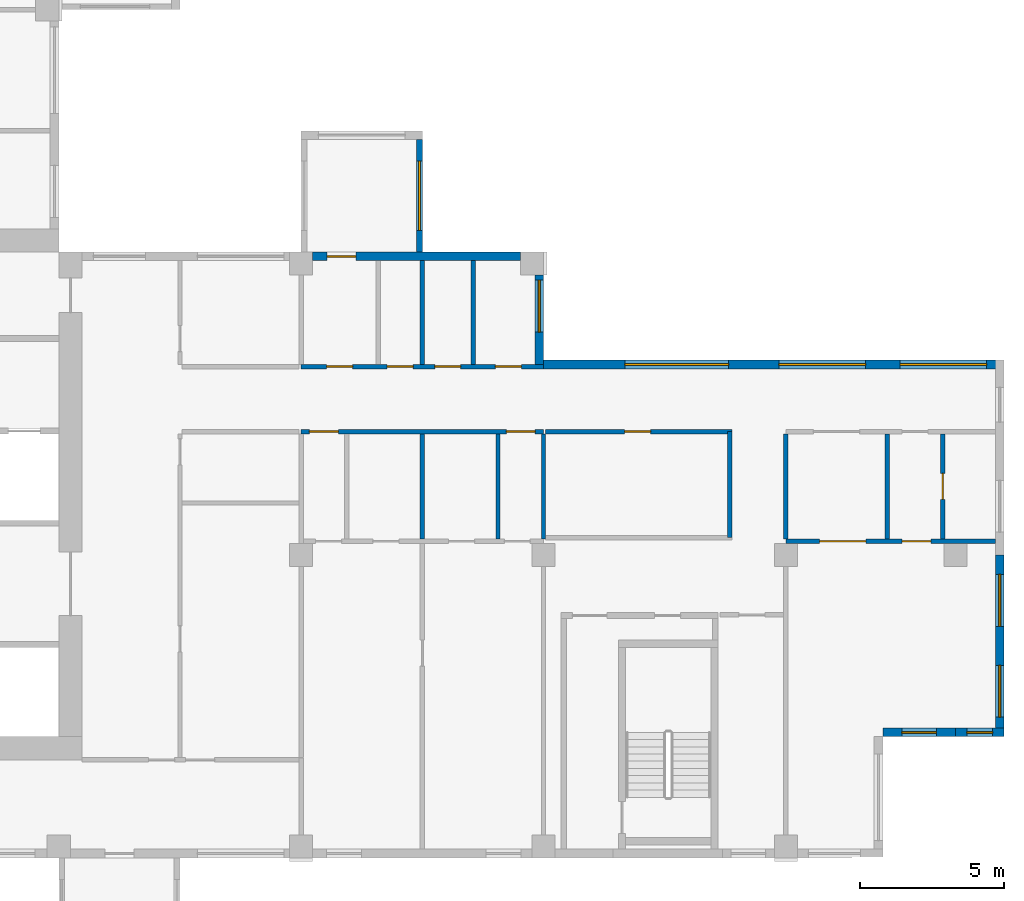
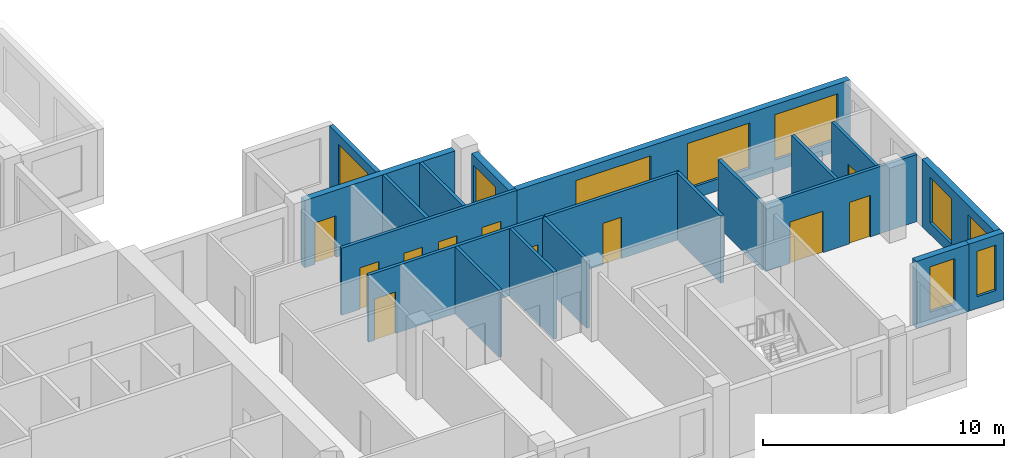
# One storey, part 5 of 12: 20 walls, 11 doors, 9 windows, 20 openings.
"""IFC4 building model written with IfcOpenShell, lengths in metres."""

from ifc_helpers import new_model, si_unit, direction, frame, frame_2d, origin, place, context, subcontext, project, spatial, rectangle, extrude, source, transform, mapped, material, layer, layer_set, type_object, element, fill, save


model = new_model("IFC4")

# Units and contexts
model_context = context("Model", 3, precision=1e-05, world=origin(), true_north=direction((0.0, 1.0)))
body_context = subcontext(model_context, "Body", "Model", "MODEL_VIEW")
ifc_project = project(units=[si_unit("LENGTHUNIT", "METRE"), si_unit("AREAUNIT", "SQUARE_METRE"), si_unit("VOLUMEUNIT", "CUBIC_METRE"), si_unit("PLANEANGLEUNIT", "RADIAN"), si_unit("MASSUNIT", "GRAM", prefix="KILO")], contexts=[model_context])

# Site, building, storey
site_placement = place(None, origin())
site = spatial("IfcSite", under=ifc_project, at=site_placement, CompositionType="ELEMENT")
building_placement = place(site_placement, origin())
building = spatial("IfcBuilding", under=site, at=building_placement, Name="Aurelian Terraces", CompositionType="ELEMENT")
storey_placement = place(building_placement, frame((0.0, 0.0, 242.4)))
storey = spatial("IfcBuildingStorey", under=building, at=storey_placement, Name="L55", CompositionType="ELEMENT", Elevation=242.4)

# Wall, opening, window
ifc_material_1 = material(Name="Terracotta rainscreen cladding", Category="masonry")
ifc_layer_1 = layer(ifc_material_1, 0.3)
ifc_layer_set_1 = layer_set([ifc_layer_1], Name="EW-300")
wall_type_1 = type_object("IfcWallType", Name="EW-300", PredefinedType="STANDARD", material=ifc_layer_set_1)
shared_shape_1 = source(origin(), body_context, "Body", "SweptSolid", [
    extrude(rectangle(XDim=2.52, YDim=0.3, at=frame_2d((1.26, 0.0))), origin(), (0.0, 0.0, 1.0), 3.4),
])
wall_1_placement = place(storey_placement, frame((49.56, 4.35, 0.0), z_axis=(0.0, 0.0, 1.0), x_axis=(1.0, 0.0, 0.0)))
wall_1 = element("IfcWall", 1, at=wall_1_placement, inside=storey, type_object=wall_type_1, Name="External wall L55 F03.8", PredefinedType="STANDARD", context=body_context, shape_type="MappedRepresentation", body=[
    mapped(shared_shape_1, transform((0.0, 0.0, 0.0), scale=1.0)),
])
shared_shape_2 = source(origin(), body_context, "Body", "SweptSolid", [
    extrude(rectangle(XDim=1.2, YDim=2.3, at=frame_2d((0.6, 1.15))), frame((0.0, 0.16, 0.0), z_axis=(0.0, -1.0, 0.0), x_axis=(1.0, 0.0, 0.0)), (0.0, 0.0, 1.0), 0.32),
])
opening_1_placement = place(wall_1_placement, frame((0.66, 0.0, 0.6)))
opening_1 = element("IfcOpeningElement", 2, at=opening_1_placement, cuts=wall_1, Name="Opening W1223", PredefinedType="OPENING", context=body_context, shape_type="MappedRepresentation", body=[
    mapped(shared_shape_2, transform((0.0, 0.0, 0.0), scale=1.0)),
])
ifc_material_2 = material(Name="Clear glazing", Category="glass")
window_type_1 = type_object("IfcWindowType", Name="W-1200x2300", PartitioningType="SINGLE_PANEL", PredefinedType="WINDOW", material=ifc_material_2)
shared_shape_3 = source(origin(), body_context, "Body", "SweptSolid", [
    extrude(rectangle(XDim=1.2, YDim=2.3, at=frame_2d((0.6, 1.15))), frame((0.0, 0.03, 0.0), z_axis=(0.0, -1.0, 0.0), x_axis=(1.0, 0.0, 0.0)), (0.0, 0.0, 1.0), 0.06),
])
window_1_placement = place(opening_1_placement, origin())
window_1 = element("IfcWindow", 3, at=window_1_placement, inside=storey, type_object=window_type_1, Name="Window L55 L55-F03-08-0", OverallHeight=2.3, OverallWidth=1.2, PartitioningType="SINGLE_PANEL", PredefinedType="WINDOW", context=body_context, shape_type="MappedRepresentation", body=[
    mapped(shared_shape_3, transform((0.0, 0.0, 0.0), scale=1.0)),
])
fill(opening_1, window_1)

shared_shape_4 = source(origin(), body_context, "Body", "SweptSolid", [
    extrude(rectangle(XDim=1.68, YDim=0.3, at=frame_2d((0.84, 0.0))), origin(), (0.0, 0.0, 1.0), 3.4),
])
wall_2_placement = place(storey_placement, frame((52.08, 4.35, 0.0), z_axis=(0.0, 0.0, 1.0), x_axis=(1.0, 0.0, 0.0)))
wall_2 = element("IfcWall", 4, at=wall_2_placement, inside=storey, type_object=wall_type_1, Name="External wall L55 F03.9", PredefinedType="STANDARD", context=body_context, shape_type="MappedRepresentation", body=[
    mapped(shared_shape_4, transform((0.0, 0.0, 0.0), scale=1.0)),
])
shared_shape_5 = source(origin(), body_context, "Body", "SweptSolid", [
    extrude(rectangle(XDim=0.9, YDim=2.3, at=frame_2d((0.45, 1.15))), frame((0.0, 0.16, 0.0), z_axis=(0.0, -1.0, 0.0), x_axis=(1.0, 0.0, 0.0)), (0.0, 0.0, 1.0), 0.32),
])
opening_2_placement = place(wall_2_placement, frame((0.39, 0.0, 0.6)))
opening_2 = element("IfcOpeningElement", 5, at=opening_2_placement, cuts=wall_2, Name="Opening W0923", PredefinedType="OPENING", context=body_context, shape_type="MappedRepresentation", body=[
    mapped(shared_shape_5, transform((0.0, 0.0, 0.0), scale=1.0)),
])
window_type_2 = type_object("IfcWindowType", Name="W-900x2300", PartitioningType="SINGLE_PANEL", PredefinedType="WINDOW", material=ifc_material_2)
shared_shape_6 = source(origin(), body_context, "Body", "SweptSolid", [
    extrude(rectangle(XDim=0.9, YDim=2.3, at=frame_2d((0.45, 1.15))), frame((0.0, 0.03, 0.0), z_axis=(0.0, -1.0, 0.0), x_axis=(1.0, 0.0, 0.0)), (0.0, 0.0, 1.0), 0.06),
])
window_2_placement = place(opening_2_placement, origin())
window_2 = element("IfcWindow", 6, at=window_2_placement, inside=storey, type_object=window_type_2, Name="Window L55 L55-F03-09-P0", OverallHeight=2.3, OverallWidth=0.9, PartitioningType="SINGLE_PANEL", PredefinedType="WINDOW", context=body_context, shape_type="MappedRepresentation", body=[
    mapped(shared_shape_6, transform((0.0, 0.0, 0.0), scale=1.0)),
])
fill(opening_2, window_2)

ifc_material_3 = material(Name="Concrete fc' 40 MPa", Category="concrete")
ifc_layer_2 = layer(ifc_material_3, 0.2)
ifc_layer_set_2 = layer_set([ifc_layer_2], Name="BOX BEARING WALL 200")
wall_type_2 = type_object("IfcWallType", Name="BOX BEARING WALL 200", PredefinedType="SOLIDWALL", material=ifc_layer_set_2)
shared_shape_7 = source(origin(), body_context, "Body", "SweptSolid", [
    extrude(rectangle(XDim=3.9, YDim=0.2, at=frame_2d((1.95, 0.0))), origin(), (0.0, 0.0, 1.0), 3.39),
])
wall_3_placement = place(storey_placement, frame((33.5, 21.0, 0.0), z_axis=(0.0, 0.0, 1.0), x_axis=(0.0, 1.0, 0.0)))
wall_3 = element("IfcWall", 7, at=wall_3_placement, inside=storey, type_object=wall_type_2, Name="Box return L55 J81.1", PredefinedType="SOLIDWALL", context=body_context, shape_type="MappedRepresentation", body=[
    mapped(shared_shape_7, transform((0.0, 0.0, 0.0), scale=1.0)),
])
shared_shape_8 = source(origin(), body_context, "Body", "SweptSolid", [
    extrude(rectangle(XDim=2.4, YDim=2.3, at=frame_2d((1.2, 1.15))), frame((0.0, 0.11, 0.0), z_axis=(0.0, -1.0, 0.0), x_axis=(1.0, 0.0, 0.0)), (0.0, 0.0, 1.0), 0.22),
])
opening_3_placement = place(wall_3_placement, frame((0.75, 0.0, 0.6)))
opening_3 = element("IfcOpeningElement", 8, at=opening_3_placement, cuts=wall_3, Name="Opening W2423", PredefinedType="OPENING", context=body_context, shape_type="MappedRepresentation", body=[
    mapped(shared_shape_8, transform((0.0, 0.0, 0.0), scale=1.0)),
])
window_type_3 = type_object("IfcWindowType", Name="W-2400x2300", PartitioningType="SINGLE_PANEL", PredefinedType="WINDOW", material=ifc_material_2)
shared_shape_9 = source(origin(), body_context, "Body", "SweptSolid", [
    extrude(rectangle(XDim=2.4, YDim=2.3, at=frame_2d((1.2, 1.15))), frame((0.0, 0.03, 0.0), z_axis=(0.0, -1.0, 0.0), x_axis=(1.0, 0.0, 0.0)), (0.0, 0.0, 1.0), 0.06),
])
window_3_placement = place(opening_3_placement, origin())
window_3 = element("IfcWindow", 9, at=window_3_placement, inside=storey, type_object=window_type_3, Name="Window L55 J81-S1", OverallHeight=2.3, OverallWidth=2.4, PartitioningType="SINGLE_PANEL", PredefinedType="WINDOW", context=body_context, shape_type="MappedRepresentation", body=[
    mapped(shared_shape_9, transform((0.0, 0.0, 0.0), scale=1.0)),
])
fill(opening_3, window_3)

# Wall, openings, windows
shared_shape_10 = source(origin(), body_context, "Body", "SweptSolid", [
    extrude(rectangle(XDim=6.3, YDim=0.3, at=frame_2d((3.15, 0.0))), origin(), (0.0, 0.0, 1.0), 3.4),
])
wall_4_placement = place(storey_placement, frame((53.61, 4.2, 0.0), z_axis=(0.0, 0.0, 1.0), x_axis=(0.0, 1.0, 0.0)))
wall_4 = element("IfcWall", 10, at=wall_4_placement, inside=storey, type_object=wall_type_1, Name="External wall L55 F04.10", PredefinedType="STANDARD", context=body_context, shape_type="MappedRepresentation", body=[
    mapped(shared_shape_10, transform((0.0, 0.0, 0.0), scale=1.0)),
])
shared_shape_11 = source(origin(), body_context, "Body", "SweptSolid", [
    extrude(rectangle(XDim=1.8, YDim=2.3, at=frame_2d((0.9, 1.15))), frame((0.0, 0.16, 0.0), z_axis=(0.0, -1.0, 0.0), x_axis=(1.0, 0.0, 0.0)), (0.0, 0.0, 1.0), 0.32),
])
opening_4_placement = place(wall_4_placement, frame((0.675, 0.0, 0.6)))
opening_4 = element("IfcOpeningElement", 11, at=opening_4_placement, cuts=wall_4, Name="Opening W1823", PredefinedType="OPENING", context=body_context, shape_type="MappedRepresentation", body=[
    mapped(shared_shape_11, transform((0.0, 0.0, 0.0), scale=1.0)),
])
opening_5_placement = place(wall_4_placement, frame((3.825, 0.0, 0.6)))
opening_5 = element("IfcOpeningElement", 12, at=opening_5_placement, cuts=wall_4, Name="Opening W1823", PredefinedType="OPENING", context=body_context, shape_type="MappedRepresentation", body=[
    mapped(shared_shape_11, transform((0.0, 0.0, 0.0), scale=1.0)),
])
window_type_4 = type_object("IfcWindowType", Name="W-1800x2300", PartitioningType="SINGLE_PANEL", PredefinedType="WINDOW", material=ifc_material_2)
shared_shape_12 = source(origin(), body_context, "Body", "SweptSolid", [
    extrude(rectangle(XDim=1.8, YDim=2.3, at=frame_2d((0.9, 1.15))), frame((0.0, 0.03, 0.0), z_axis=(0.0, -1.0, 0.0), x_axis=(1.0, 0.0, 0.0)), (0.0, 0.0, 1.0), 0.06),
])
window_4_placement = place(opening_4_placement, origin())
window_4 = element("IfcWindow", 13, at=window_4_placement, inside=storey, type_object=window_type_4, Name="Window L55 L55-F04-10-0", OverallHeight=2.3, OverallWidth=1.8, PartitioningType="SINGLE_PANEL", PredefinedType="WINDOW", context=body_context, shape_type="MappedRepresentation", body=[
    mapped(shared_shape_12, transform((0.0, 0.0, 0.0), scale=1.0)),
])
fill(opening_4, window_4)
window_5_placement = place(opening_5_placement, origin())
window_5 = element("IfcWindow", 14, at=window_5_placement, inside=storey, type_object=window_type_4, Name="Window L55 L55-F04-10-1", OverallHeight=2.3, OverallWidth=1.8, PartitioningType="SINGLE_PANEL", PredefinedType="WINDOW", context=body_context, shape_type="MappedRepresentation", body=[
    mapped(shared_shape_12, transform((0.0, 0.0, 0.0), scale=1.0)),
])
fill(opening_5, window_5)

shared_shape_13 = source(origin(), body_context, "Body", "SweptSolid", [
    extrude(rectangle(XDim=15.96, YDim=0.3, at=frame_2d((7.98, 0.0))), origin(), (0.0, 0.0, 1.0), 3.4),
])
wall_5_placement = place(storey_placement, frame((53.76, 17.1, 0.0), z_axis=(0.0, 0.0, 1.0), x_axis=(-1.0, 0.0, 0.0)))
wall_5 = element("IfcWall", 15, at=wall_5_placement, inside=storey, type_object=wall_type_1, Name="External wall L55 F05.12", PredefinedType="STANDARD", context=body_context, shape_type="MappedRepresentation", body=[
    mapped(shared_shape_13, transform((0.0, 0.0, 0.0), scale=1.0)),
])
shared_shape_14 = source(origin(), body_context, "Body", "SweptSolid", [
    extrude(rectangle(XDim=3.0, YDim=2.3, at=frame_2d((1.5, 1.15))), frame((0.0, 0.16, 0.0), z_axis=(0.0, -1.0, 0.0), x_axis=(1.0, 0.0, 0.0)), (0.0, 0.0, 1.0), 0.32),
])
opening_6_placement = place(wall_5_placement, frame((0.6, 0.0, 0.6)))
opening_6 = element("IfcOpeningElement", 16, at=opening_6_placement, cuts=wall_5, Name="Opening W3023", PredefinedType="OPENING", context=body_context, shape_type="MappedRepresentation", body=[
    mapped(shared_shape_14, transform((0.0, 0.0, 0.0), scale=1.0)),
])
opening_7_placement = place(wall_5_placement, frame((4.8, 0.0, 0.6)))
opening_7 = element("IfcOpeningElement", 17, at=opening_7_placement, cuts=wall_5, Name="Opening W3023", PredefinedType="OPENING", context=body_context, shape_type="MappedRepresentation", body=[
    mapped(shared_shape_14, transform((0.0, 0.0, 0.0), scale=1.0)),
])
shared_shape_15 = source(origin(), body_context, "Body", "SweptSolid", [
    extrude(rectangle(XDim=3.6, YDim=2.3, at=frame_2d((1.8, 1.15))), frame((0.0, 0.16, 0.0), z_axis=(0.0, -1.0, 0.0), x_axis=(1.0, 0.0, 0.0)), (0.0, 0.0, 1.0), 0.32),
])
opening_8_placement = place(wall_5_placement, frame((9.54, 0.0, 0.6)))
opening_8 = element("IfcOpeningElement", 18, at=opening_8_placement, cuts=wall_5, Name="Opening W3623", PredefinedType="OPENING", context=body_context, shape_type="MappedRepresentation", body=[
    mapped(shared_shape_15, transform((0.0, 0.0, 0.0), scale=1.0)),
])
window_type_5 = type_object("IfcWindowType", Name="W-3600x2300", PartitioningType="SINGLE_PANEL", PredefinedType="WINDOW", material=ifc_material_2)
shared_shape_16 = source(origin(), body_context, "Body", "SweptSolid", [
    extrude(rectangle(XDim=3.6, YDim=2.3, at=frame_2d((1.8, 1.15))), frame((0.0, 0.03, 0.0), z_axis=(0.0, -1.0, 0.0), x_axis=(1.0, 0.0, 0.0)), (0.0, 0.0, 1.0), 0.06),
])
window_6_placement = place(opening_8_placement, origin())
window_6 = element("IfcWindow", 19, at=window_6_placement, inside=storey, type_object=window_type_5, Name="Window L55 L55-F05-12-2", OverallHeight=2.3, OverallWidth=3.6, PartitioningType="SINGLE_PANEL", PredefinedType="WINDOW", context=body_context, shape_type="MappedRepresentation", body=[
    mapped(shared_shape_16, transform((0.0, 0.0, 0.0), scale=1.0)),
])
fill(opening_8, window_6)
window_type_6 = type_object("IfcWindowType", Name="W-3000x2300", PartitioningType="SINGLE_PANEL", PredefinedType="WINDOW", material=ifc_material_2)
shared_shape_17 = source(origin(), body_context, "Body", "SweptSolid", [
    extrude(rectangle(XDim=3.0, YDim=2.3, at=frame_2d((1.5, 1.15))), frame((0.0, 0.03, 0.0), z_axis=(0.0, -1.0, 0.0), x_axis=(1.0, 0.0, 0.0)), (0.0, 0.0, 1.0), 0.06),
])
window_7_placement = place(opening_6_placement, origin())
window_7 = element("IfcWindow", 20, at=window_7_placement, inside=storey, type_object=window_type_6, Name="Window L55 L55-F05-12-0", OverallHeight=2.3, OverallWidth=3.0, PartitioningType="SINGLE_PANEL", PredefinedType="WINDOW", context=body_context, shape_type="MappedRepresentation", body=[
    mapped(shared_shape_17, transform((0.0, 0.0, 0.0), scale=1.0)),
])
fill(opening_6, window_7)
window_8_placement = place(opening_7_placement, origin())
window_8 = element("IfcWindow", 21, at=window_8_placement, inside=storey, type_object=window_type_6, Name="Window L55 L55-F05-12-1", OverallHeight=2.3, OverallWidth=3.0, PartitioningType="SINGLE_PANEL", PredefinedType="WINDOW", context=body_context, shape_type="MappedRepresentation", body=[
    mapped(shared_shape_17, transform((0.0, 0.0, 0.0), scale=1.0)),
])
fill(opening_7, window_8)

# Wall, opening, door
shared_shape_18 = source(origin(), body_context, "Body", "SweptSolid", [
    extrude(rectangle(XDim=7.2, YDim=0.3, at=frame_2d((3.6, 0.0))), origin(), (0.0, 0.0, 1.0), 3.4),
])
wall_6_placement = place(storey_placement, frame((37.0, 20.85, 0.0), z_axis=(0.0, 0.0, 1.0), x_axis=(-1.0, 0.0, 0.0)))
wall_6 = element("IfcWall", 22, at=wall_6_placement, inside=storey, type_object=wall_type_1, Name="External wall L55 F07.14", PredefinedType="STANDARD", context=body_context, shape_type="MappedRepresentation", body=[
    mapped(shared_shape_18, transform((0.0, 0.0, 0.0), scale=1.0)),
])
shared_shape_19 = source(origin(), body_context, "Body", "SweptSolid", [
    extrude(rectangle(XDim=1.0, YDim=2.1, at=frame_2d((0.5, 1.05))), frame((0.0, 0.16, 0.0), z_axis=(0.0, -1.0, 0.0), x_axis=(1.0, 0.0, 0.0)), (0.0, 0.0, 1.0), 0.32),
])
opening_9_placement = place(wall_6_placement, frame((5.7, 0.0, 0.0)))
opening_9 = element("IfcOpeningElement", 23, at=opening_9_placement, cuts=wall_6, Name="Opening 855004", PredefinedType="OPENING", context=body_context, shape_type="MappedRepresentation", body=[
    mapped(shared_shape_19, transform((0.0, 0.0, 0.0), scale=1.0)),
])
ifc_material_4 = material(Name="Timber door leaf", Category="wood")
door_type_1 = type_object("IfcDoorType", Name="Room door 1000x2100 left", OperationType="SINGLE_SWING_LEFT", PredefinedType="DOOR", material=ifc_material_4)
shared_shape_20 = source(origin(), body_context, "Body", "SweptSolid", [
    extrude(rectangle(XDim=1.0, YDim=2.1, at=frame_2d((0.5, 1.05))), frame((0.0, 0.025, 0.0), z_axis=(0.0, -1.0, 0.0), x_axis=(1.0, 0.0, 0.0)), (0.0, 0.0, 1.0), 0.05),
])
door_1_placement = place(opening_9_placement, origin())
door_1 = element("IfcDoor", 24, at=door_1_placement, inside=storey, type_object=door_type_1, Name="Door 855004", OperationType="SINGLE_SWING_LEFT", OverallHeight=2.1, OverallWidth=1.0, PredefinedType="DOOR", context=body_context, shape_type="MappedRepresentation", body=[
    mapped(shared_shape_20, transform((0.0, 0.0, 0.0), scale=1.0)),
])
fill(opening_9, door_1)

# Wall, opening, window
shared_shape_21 = source(origin(), body_context, "Body", "SweptSolid", [
    extrude(rectangle(XDim=3.1, YDim=0.3, at=frame_2d((1.55, 0.0))), origin(), (0.0, 0.0, 1.0), 3.4),
])
wall_7_placement = place(storey_placement, frame((37.65, 17.1, 0.0), z_axis=(0.0, 0.0, 1.0), x_axis=(0.0, 1.0, 0.0)))
wall_7 = element("IfcWall", 25, at=wall_7_placement, inside=storey, type_object=wall_type_1, Name="External wall L55 F06.13", PredefinedType="STANDARD", context=body_context, shape_type="MappedRepresentation", body=[
    mapped(shared_shape_21, transform((0.0, 0.0, 0.0), scale=1.0)),
])
opening_10_placement = place(wall_7_placement, frame((1.125, 0.0, 0.6)))
opening_10 = element("IfcOpeningElement", 26, at=opening_10_placement, cuts=wall_7, Name="Opening W1823", PredefinedType="OPENING", context=body_context, shape_type="MappedRepresentation", body=[
    mapped(shared_shape_11, transform((0.0, 0.0, 0.0), scale=1.0)),
])
window_9_placement = place(opening_10_placement, origin())
window_9 = element("IfcWindow", 27, at=window_9_placement, inside=storey, type_object=window_type_4, Name="Window L55 L55-F06-13-0", OverallHeight=2.3, OverallWidth=1.8, PartitioningType="SINGLE_PANEL", PredefinedType="WINDOW", context=body_context, shape_type="MappedRepresentation", body=[
    mapped(shared_shape_12, transform((0.0, 0.0, 0.0), scale=1.0)),
])
fill(opening_10, window_9)

# Wall, opening, door
ifc_material_5 = material(Name="Gypsum board on steel studs", Category="steel")
ifc_layer_3 = layer(ifc_material_5, 0.15)
ifc_layer_set_3 = layer_set([ifc_layer_3], Name="Fire partition 150")
wall_type_3 = type_object("IfcWallType", Name="Fire partition 150", PredefinedType="PARTITIONING", material=ifc_layer_set_3)
shared_shape_22 = source(origin(), body_context, "Body", "SweptSolid", [
    extrude(rectangle(XDim=6.45, YDim=0.15, at=frame_2d((3.225, 0.0))), origin(), (0.0, 0.0, 1.0), 3.4),
])
wall_8_placement = place(storey_placement, frame((44.325, 14.775, 0.0), z_axis=(0.0, 0.0, 1.0), x_axis=(-1.0, 0.0, 0.0)))
wall_8 = element("IfcWall", 28, at=wall_8_placement, inside=storey, type_object=wall_type_3, Name="Corridor wall", PredefinedType="PARTITIONING", context=body_context, shape_type="MappedRepresentation", body=[
    mapped(shared_shape_22, transform((0.0, 0.0, 0.0), scale=1.0)),
])
shared_shape_23 = source(origin(), body_context, "Body", "SweptSolid", [
    extrude(rectangle(XDim=0.9, YDim=2.1, at=frame_2d((0.45, 1.05))), frame((0.0, 0.085, 0.0), z_axis=(0.0, -1.0, 0.0), x_axis=(1.0, 0.0, 0.0)), (0.0, 0.0, 1.0), 0.17),
])
opening_11_placement = place(wall_8_placement, frame((2.8125, 0.0, 0.0)))
opening_11 = element("IfcOpeningElement", 29, at=opening_11_placement, cuts=wall_8, Name="Opening 755005", PredefinedType="OPENING", context=body_context, shape_type="MappedRepresentation", body=[
    mapped(shared_shape_23, transform((0.0, 0.0, 0.0), scale=1.0)),
])
door_type_2 = type_object("IfcDoorType", Name="Room door 900x2100 left", OperationType="SINGLE_SWING_LEFT", PredefinedType="DOOR", material=ifc_material_4)
shared_shape_24 = source(origin(), body_context, "Body", "SweptSolid", [
    extrude(rectangle(XDim=0.9, YDim=2.1, at=frame_2d((0.45, 1.05))), frame((0.0, 0.025, 0.0), z_axis=(0.0, -1.0, 0.0), x_axis=(1.0, 0.0, 0.0)), (0.0, 0.0, 1.0), 0.05),
])
door_2_placement = place(opening_11_placement, origin())
door_2 = element("IfcDoor", 30, at=door_2_placement, inside=storey, type_object=door_type_2, Name="Door 755005", OperationType="SINGLE_SWING_LEFT", OverallHeight=2.1, OverallWidth=0.9, PredefinedType="DOOR", context=body_context, shape_type="MappedRepresentation", body=[
    mapped(shared_shape_24, transform((0.0, 0.0, 0.0), scale=1.0)),
])
fill(opening_11, door_2)

# Walls
ifc_layer_4 = layer(ifc_material_5, 0.15)
ifc_layer_set_4 = layer_set([ifc_layer_4], Name="Partition 150")
wall_type_4 = type_object("IfcWallType", Name="Partition 150", PredefinedType="PARTITIONING", material=ifc_layer_set_4)
shared_shape_25 = source(origin(), body_context, "Body", "SweptSolid", [
    extrude(rectangle(XDim=3.6, YDim=0.15, at=frame_2d((1.8, 0.0))), origin(), (0.0, 0.0, 1.0), 3.4),
])
wall_9_placement = place(storey_placement, frame((35.3634, 20.7, 0.0), z_axis=(0.0, 0.0, 1.0), x_axis=(0.0, -1.0, 0.0)))
element("IfcWall", 31, at=wall_9_placement, inside=storey, type_object=wall_type_4, Name="Partition", PredefinedType="PARTITIONING", context=body_context, shape_type="MappedRepresentation", body=[
    mapped(shared_shape_25, transform((0.0, 0.0, 0.0), scale=1.0)),
])
wall_10_placement = place(storey_placement, frame((33.6, 17.1, 0.0), z_axis=(0.0, 0.0, 1.0), x_axis=(0.0, 1.0, 0.0)))
element("IfcWall", 32, at=wall_10_placement, inside=storey, type_object=wall_type_3, Name="Party wall", PredefinedType="PARTITIONING", context=body_context, shape_type="MappedRepresentation", body=[
    mapped(shared_shape_25, transform((0.0, 0.0, 0.0), scale=1.0)),
])

# Wall, openings, doors
shared_shape_26 = source(origin(), body_context, "Body", "SweptSolid", [
    extrude(rectangle(XDim=8.4, YDim=0.15, at=frame_2d((4.2, 0.0))), origin(), (0.0, 0.0, 1.0), 3.4),
])
wall_11_placement = place(storey_placement, frame((37.8, 14.775, 0.0), z_axis=(0.0, 0.0, 1.0), x_axis=(-1.0, 0.0, 0.0)))
wall_11 = element("IfcWall", 33, at=wall_11_placement, inside=storey, type_object=wall_type_3, Name="Corridor wall", PredefinedType="PARTITIONING", context=body_context, shape_type="MappedRepresentation", body=[
    mapped(shared_shape_26, transform((0.0, 0.0, 0.0), scale=1.0)),
])
shared_shape_27 = source(origin(), body_context, "Body", "SweptSolid", [
    extrude(rectangle(XDim=1.0, YDim=2.1, at=frame_2d((0.5, 1.05))), frame((0.0, 0.085, 0.0), z_axis=(0.0, -1.0, 0.0), x_axis=(1.0, 0.0, 0.0)), (0.0, 0.0, 1.0), 0.17),
])
opening_12_placement = place(wall_11_placement, frame((7.1125, 0.0, 0.0)))
opening_12 = element("IfcOpeningElement", 34, at=opening_12_placement, cuts=wall_11, Name="Opening 755007", PredefinedType="OPENING", context=body_context, shape_type="MappedRepresentation", body=[
    mapped(shared_shape_27, transform((0.0, 0.0, 0.0), scale=1.0)),
])
opening_13_placement = place(wall_11_placement, frame((0.2875, 0.0, 0.0)))
opening_13 = element("IfcOpeningElement", 35, at=opening_13_placement, cuts=wall_11, Name="Opening 755011", PredefinedType="OPENING", context=body_context, shape_type="MappedRepresentation", body=[
    mapped(shared_shape_27, transform((0.0, 0.0, 0.0), scale=1.0)),
])
ifc_material_6 = material(Name="Steel door leaf", Category="steel")
door_type_3 = type_object("IfcDoorType", Name="Entrance fire door 1000x2100 right", OperationType="SINGLE_SWING_RIGHT", PredefinedType="DOOR", material=ifc_material_6)
door_3_placement = place(opening_12_placement, origin())
door_3 = element("IfcDoor", 36, at=door_3_placement, inside=storey, type_object=door_type_3, Name="Door 755007", OperationType="SINGLE_SWING_RIGHT", OverallHeight=2.1, OverallWidth=1.0, PredefinedType="DOOR", context=body_context, shape_type="MappedRepresentation", body=[
    mapped(shared_shape_20, transform((0.0, 0.0, 0.0), scale=1.0)),
])
fill(opening_12, door_3)
door_4_placement = place(opening_13_placement, origin())
door_4 = element("IfcDoor", 37, at=door_4_placement, inside=storey, type_object=door_type_3, Name="Door 755011", OperationType="SINGLE_SWING_RIGHT", OverallHeight=2.1, OverallWidth=1.0, PredefinedType="DOOR", context=body_context, shape_type="MappedRepresentation", body=[
    mapped(shared_shape_20, transform((0.0, 0.0, 0.0), scale=1.0)),
])
fill(opening_13, door_4)

wall_12_placement = place(storey_placement, frame((29.4, 17.025, 0.0), z_axis=(0.0, 0.0, 1.0), x_axis=(1.0, 0.0, 0.0)))
wall_12 = element("IfcWall", 38, at=wall_12_placement, inside=storey, type_object=wall_type_3, Name="Corridor wall", PredefinedType="PARTITIONING", context=body_context, shape_type="MappedRepresentation", body=[
    mapped(shared_shape_26, transform((0.0, 0.0, 0.0), scale=1.0)),
])
opening_14_placement = place(wall_12_placement, frame((0.8835, 0.0, 0.0)))
opening_14 = element("IfcOpeningElement", 39, at=opening_14_placement, cuts=wall_12, Name="Opening 755018", PredefinedType="OPENING", context=body_context, shape_type="MappedRepresentation", body=[
    mapped(shared_shape_23, transform((0.0, 0.0, 0.0), scale=1.0)),
])
opening_15_placement = place(wall_12_placement, frame((2.9835, 0.0, 0.0)))
opening_15 = element("IfcOpeningElement", 40, at=opening_15_placement, cuts=wall_12, Name="Opening 755019", PredefinedType="OPENING", context=body_context, shape_type="MappedRepresentation", body=[
    mapped(shared_shape_23, transform((0.0, 0.0, 0.0), scale=1.0)),
])
opening_16_placement = place(wall_12_placement, frame((4.6317, 0.0, 0.0)))
opening_16 = element("IfcOpeningElement", 41, at=opening_16_placement, cuts=wall_12, Name="Opening 755020", PredefinedType="OPENING", context=body_context, shape_type="MappedRepresentation", body=[
    mapped(shared_shape_23, transform((0.0, 0.0, 0.0), scale=1.0)),
])
opening_17_placement = place(wall_12_placement, frame((6.7317, 0.0, 0.0)))
opening_17 = element("IfcOpeningElement", 42, at=opening_17_placement, cuts=wall_12, Name="Opening 755021", PredefinedType="OPENING", context=body_context, shape_type="MappedRepresentation", body=[
    mapped(shared_shape_23, transform((0.0, 0.0, 0.0), scale=1.0)),
])
door_type_4 = type_object("IfcDoorType", Name="Entrance fire door 900x2100 right", OperationType="SINGLE_SWING_RIGHT", PredefinedType="DOOR", material=ifc_material_6)
door_5_placement = place(opening_14_placement, origin())
door_5 = element("IfcDoor", 43, at=door_5_placement, inside=storey, type_object=door_type_4, Name="Door 755018", OperationType="SINGLE_SWING_RIGHT", OverallHeight=2.1, OverallWidth=0.9, PredefinedType="DOOR", context=body_context, shape_type="MappedRepresentation", body=[
    mapped(shared_shape_24, transform((0.0, 0.0, 0.0), scale=1.0)),
])
fill(opening_14, door_5)
door_type_5 = type_object("IfcDoorType", Name="Entrance fire door 900x2100 left", OperationType="SINGLE_SWING_LEFT", PredefinedType="DOOR", material=ifc_material_6)
door_6_placement = place(opening_15_placement, origin())
door_6 = element("IfcDoor", 44, at=door_6_placement, inside=storey, type_object=door_type_5, Name="Door 755019", OperationType="SINGLE_SWING_LEFT", OverallHeight=2.1, OverallWidth=0.9, PredefinedType="DOOR", context=body_context, shape_type="MappedRepresentation", body=[
    mapped(shared_shape_24, transform((0.0, 0.0, 0.0), scale=1.0)),
])
fill(opening_15, door_6)
door_7_placement = place(opening_16_placement, origin())
door_7 = element("IfcDoor", 45, at=door_7_placement, inside=storey, type_object=door_type_4, Name="Door 755020", OperationType="SINGLE_SWING_RIGHT", OverallHeight=2.1, OverallWidth=0.9, PredefinedType="DOOR", context=body_context, shape_type="MappedRepresentation", body=[
    mapped(shared_shape_24, transform((0.0, 0.0, 0.0), scale=1.0)),
])
fill(opening_16, door_7)
door_8_placement = place(opening_17_placement, origin())
door_8 = element("IfcDoor", 46, at=door_8_placement, inside=storey, type_object=door_type_5, Name="Door 755021", OperationType="SINGLE_SWING_LEFT", OverallHeight=2.1, OverallWidth=0.9, PredefinedType="DOOR", context=body_context, shape_type="MappedRepresentation", body=[
    mapped(shared_shape_24, transform((0.0, 0.0, 0.0), scale=1.0)),
])
fill(opening_17, door_8)

shared_shape_28 = source(origin(), body_context, "Body", "SweptSolid", [
    extrude(rectangle(XDim=7.26, YDim=0.15, at=frame_2d((3.63, 0.0))), origin(), (0.0, 0.0, 1.0), 3.4),
])
wall_13_placement = place(storey_placement, frame((53.46, 10.975, 0.0), z_axis=(0.0, 0.0, 1.0), x_axis=(-1.0, 0.0, 0.0)))
wall_13 = element("IfcWall", 47, at=wall_13_placement, inside=storey, type_object=wall_type_4, Name="Partition", PredefinedType="PARTITIONING", context=body_context, shape_type="MappedRepresentation", body=[
    mapped(shared_shape_28, transform((0.0, 0.0, 0.0), scale=1.0)),
])
shared_shape_29 = source(origin(), body_context, "Body", "SweptSolid", [
    extrude(rectangle(XDim=1.6, YDim=2.1, at=frame_2d((0.8, 1.05))), frame((0.0, 0.085, 0.0), z_axis=(0.0, -1.0, 0.0), x_axis=(1.0, 0.0, 0.0)), (0.0, 0.0, 1.0), 0.17),
])
opening_18_placement = place(wall_13_placement, frame((4.4911, 0.0, 0.0)))
opening_18 = element("IfcOpeningElement", 48, at=opening_18_placement, cuts=wall_13, Name="Opening 755015", PredefinedType="OPENING", context=body_context, shape_type="MappedRepresentation", body=[
    mapped(shared_shape_29, transform((0.0, 0.0, 0.0), scale=1.0)),
])
opening_19_placement = place(wall_13_placement, frame((2.2346, 0.0, 0.0)))
opening_19 = element("IfcOpeningElement", 49, at=opening_19_placement, cuts=wall_13, Name="Opening 755016", PredefinedType="OPENING", context=body_context, shape_type="MappedRepresentation", body=[
    mapped(shared_shape_27, transform((0.0, 0.0, 0.0), scale=1.0)),
])
door_type_6 = type_object("IfcDoorType", Name="Room door 1000x2100 right", OperationType="SINGLE_SWING_RIGHT", PredefinedType="DOOR", material=ifc_material_4)
door_9_placement = place(opening_19_placement, origin())
door_9 = element("IfcDoor", 50, at=door_9_placement, inside=storey, type_object=door_type_6, Name="Door 755016", OperationType="SINGLE_SWING_RIGHT", OverallHeight=2.1, OverallWidth=1.0, PredefinedType="DOOR", context=body_context, shape_type="MappedRepresentation", body=[
    mapped(shared_shape_20, transform((0.0, 0.0, 0.0), scale=1.0)),
])
fill(opening_19, door_9)
door_type_7 = type_object("IfcDoorType", Name="Room door 1600x2100 left", OperationType="SINGLE_SWING_LEFT", PredefinedType="DOOR", material=ifc_material_4)
shared_shape_30 = source(origin(), body_context, "Body", "SweptSolid", [
    extrude(rectangle(XDim=1.6, YDim=2.1, at=frame_2d((0.8, 1.05))), frame((0.0, 0.025, 0.0), z_axis=(0.0, -1.0, 0.0), x_axis=(1.0, 0.0, 0.0)), (0.0, 0.0, 1.0), 0.05),
])
door_10_placement = place(opening_18_placement, origin())
door_10 = element("IfcDoor", 51, at=door_10_placement, inside=storey, type_object=door_type_7, Name="Door 755015", OperationType="SINGLE_SWING_LEFT", OverallHeight=2.1, OverallWidth=1.6, PredefinedType="DOOR", context=body_context, shape_type="MappedRepresentation", body=[
    mapped(shared_shape_30, transform((0.0, 0.0, 0.0), scale=1.0)),
])
fill(opening_18, door_10)

# Walls
shared_shape_31 = source(origin(), body_context, "Body", "SweptSolid", [
    extrude(rectangle(XDim=3.65, YDim=0.15, at=frame_2d((1.825, 0.0))), origin(), (0.0, 0.0, 1.0), 3.4),
])
for number, where, z_axis, x_axis, name in (
    (52, (33.6, 11.05, 0.0), (0.0, 0.0, 1.0), (0.0, 1.0, 0.0), "Partition"),
    (53, (36.225, 11.05, 0.0), (0.0, 0.0, 1.0), (0.0, 1.0, 0.0), "Partition"),
):
    element("IfcWall", number, at=place(storey_placement, frame(where, z_axis=z_axis, x_axis=x_axis)), inside=storey, type_object=wall_type_4, Name=name, PredefinedType="PARTITIONING", context=body_context, shape_type="MappedRepresentation", body=[
        mapped(shared_shape_31, transform((0.0, 0.0, 0.0), scale=1.0)),
    ])
wall_14_placement = place(storey_placement, frame((37.8, 11.05, 0.0), z_axis=(0.0, 0.0, 1.0), x_axis=(0.0, 1.0, 0.0)))
element("IfcWall", 54, at=wall_14_placement, inside=storey, type_object=wall_type_3, Name="Party wall", PredefinedType="PARTITIONING", context=body_context, shape_type="MappedRepresentation", body=[
    mapped(shared_shape_31, transform((0.0, 0.0, 0.0), scale=1.0)),
])
wall_15_placement = place(storey_placement, frame((49.7128, 11.05, 0.0), z_axis=(0.0, 0.0, 1.0), x_axis=(0.0, 1.0, 0.0)))
element("IfcWall", 55, at=wall_15_placement, inside=storey, type_object=wall_type_4, Name="Partition", PredefinedType="PARTITIONING", context=body_context, shape_type="MappedRepresentation", body=[
    mapped(shared_shape_31, transform((0.0, 0.0, 0.0), scale=1.0)),
])

# Wall, opening, door
wall_16_placement = place(storey_placement, frame((51.638, 11.05, 0.0), z_axis=(0.0, 0.0, 1.0), x_axis=(0.0, 1.0, 0.0)))
wall_16 = element("IfcWall", 56, at=wall_16_placement, inside=storey, type_object=wall_type_4, Name="Partition", PredefinedType="PARTITIONING", context=body_context, shape_type="MappedRepresentation", body=[
    mapped(shared_shape_31, transform((0.0, 0.0, 0.0), scale=1.0)),
])
opening_20_placement = place(wall_16_placement, frame((1.375, 0.0, 0.0)))
opening_20 = element("IfcOpeningElement", 57, at=opening_20_placement, cuts=wall_16, Name="Opening 755042", PredefinedType="OPENING", context=body_context, shape_type="MappedRepresentation", body=[
    mapped(shared_shape_23, transform((0.0, 0.0, 0.0), scale=1.0)),
])
door_11_placement = place(opening_20_placement, origin())
door_11 = element("IfcDoor", 58, at=door_11_placement, inside=storey, type_object=door_type_2, Name="Door 755042", OperationType="SINGLE_SWING_LEFT", OverallHeight=2.1, OverallWidth=0.9, PredefinedType="DOOR", context=body_context, shape_type="MappedRepresentation", body=[
    mapped(shared_shape_24, transform((0.0, 0.0, 0.0), scale=1.0)),
])
fill(opening_20, door_11)

# Walls
wall_17_placement = place(storey_placement, frame((46.2, 11.05, 0.0), z_axis=(0.0, 0.0, 1.0), x_axis=(0.0, 1.0, 0.0)))
element("IfcWall", 59, at=wall_17_placement, inside=storey, type_object=wall_type_3, Name="Party wall", PredefinedType="PARTITIONING", context=body_context, shape_type="MappedRepresentation", body=[
    mapped(shared_shape_31, transform((0.0, 0.0, 0.0), scale=1.0)),
])
shared_shape_32 = source(origin(), body_context, "Body", "SweptSolid", [
    extrude(rectangle(XDim=3.675, YDim=0.15, at=frame_2d((1.8375, 0.0))), origin(), (0.0, 0.0, 1.0), 3.4),
])
wall_18_placement = place(storey_placement, frame((44.25, 11.1, 0.0), z_axis=(0.0, 0.0, 1.0), x_axis=(0.0, 1.0, 0.0)))
element("IfcWall", 60, at=wall_18_placement, inside=storey, type_object=wall_type_4, Name="Partition", PredefinedType="PARTITIONING", context=body_context, shape_type="MappedRepresentation", body=[
    mapped(shared_shape_32, transform((0.0, 0.0, 0.0), scale=1.0)),
])

save(model, "model.ifc")
